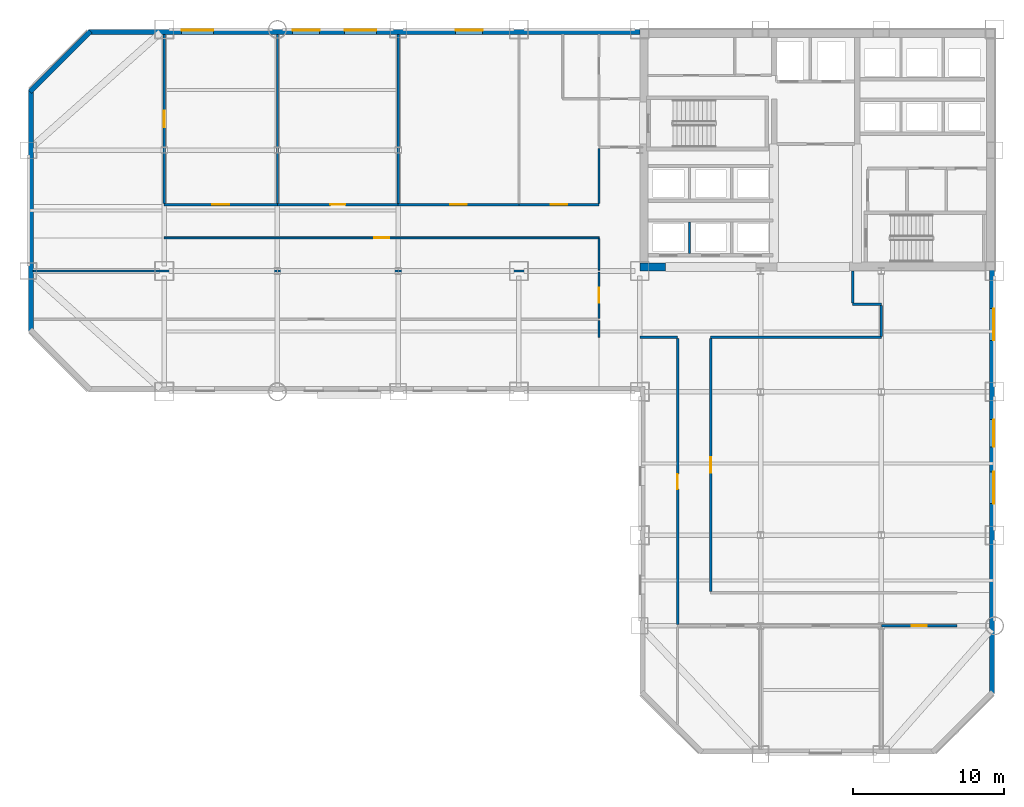
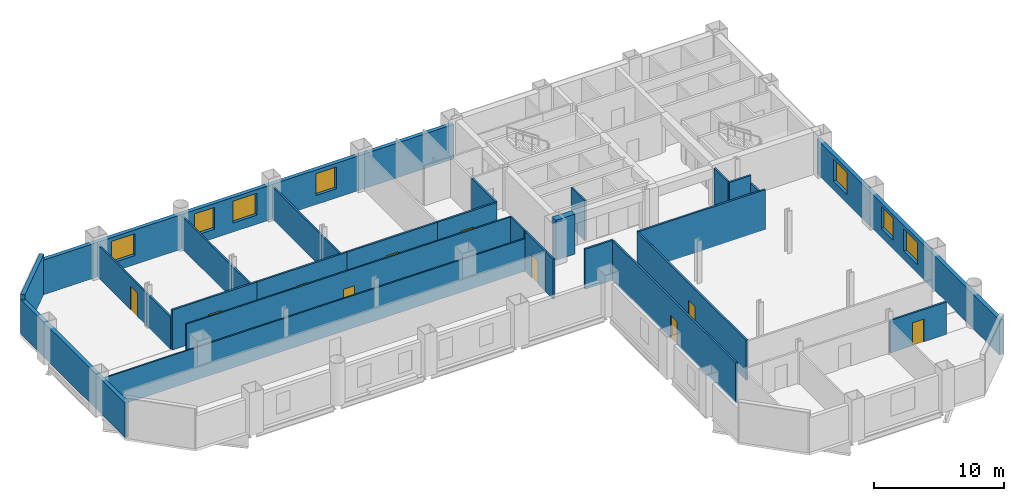
# One storey, part 5 of 9: 27 walls, 10 doors, 7 windows, 17 openings.
"""IFC4 building model written with IfcOpenShell, lengths in metres."""

from ifc_helpers import new_model, si_unit, direction, frame, frame_2d, origin, place, context, subcontext, project, spatial, rectangle, extrude, material, layer, layer_set, type_object, element, fill, save


model = new_model("IFC4")

# Units and contexts
model_context = context("Model", 3, precision=1e-05, world=origin(), true_north=direction((0.0, 1.0)))
body_context = subcontext(model_context, "Body", "Model", "MODEL_VIEW")
ifc_project = project(units=[si_unit("LENGTHUNIT", "METRE"), si_unit("AREAUNIT", "SQUARE_METRE"), si_unit("VOLUMEUNIT", "CUBIC_METRE"), si_unit("PLANEANGLEUNIT", "RADIAN"), si_unit("MASSUNIT", "GRAM", prefix="KILO")], contexts=[model_context])

# Site, building, storey
site_placement = place(None, origin())
site = spatial("IfcSite", under=ifc_project, at=site_placement, CompositionType="ELEMENT")
building_placement = place(site_placement, origin())
building = spatial("IfcBuilding", under=site, at=building_placement, Name="Qianrong Seaharbour Tower", CompositionType="ELEMENT")
storey_placement = place(building_placement, frame((0.0, 0.0, 44.199951171875)))
storey = spatial("IfcBuildingStorey", under=building, at=storey_placement, Name="L10", CompositionType="ELEMENT", Elevation=44.199951171875)

# Wall
ifc_material_1 = material(Name="Concrete C70/85", Category="concrete")
ifc_layer_1 = layer(ifc_material_1, 0.5400390625)
ifc_layer_set_1 = layer_set([ifc_layer_1], Name="Concrete C70/85")
wall_type_1 = type_object("IfcWallType", Name="WALL-CORE-540", PredefinedType="SHEAR", material=ifc_layer_set_1)
wall_1_placement = place(storey_placement, frame((40.5, 36.27001953125, 0.0), z_axis=(0.0, 0.0, 1.0), x_axis=(1.0, 0.0, 0.0)))
element("IfcWall", 1, at=wall_1_placement, inside=storey, type_object=wall_type_1, Name="L10 South Core Shear Wall S1", PredefinedType="SHEAR", context=body_context, shape_type="SweptSolid", body=[
    extrude(rectangle(XDim=1.699951171875, YDim=0.5400390625, at=frame_2d((0.85009765625, 0.0))), origin(), (0.0, 0.0, 1.0), 3.75),
])

# Wall, opening, door
ifc_material_2 = material(Name="Fire-rated acoustic gypsum board partition")
ifc_layer_2 = layer(ifc_material_2, 0.1650390625)
ifc_layer_set_2 = layer_set([ifc_layer_2], Name="Fire-rated acoustic gypsum board partition")
wall_type_2 = type_object("IfcWallType", Name="WALL-CORR-PART-165", PredefinedType="PARTITIONING", material=ifc_layer_set_2)
wall_2_placement = place(storey_placement, frame((9.0, 40.39990234375, 0.0), z_axis=(0.0, 0.0, 1.0), x_axis=(1.0, 0.0, 0.0)))
wall_2 = element("IfcWall", 2, at=wall_2_placement, inside=storey, type_object=wall_type_2, Name="L10 Interior Partition Wall 017", PredefinedType="PARTITIONING", context=body_context, shape_type="SweptSolid", body=[
    extrude(rectangle(XDim=7.5, YDim=0.1650390625, at=frame_2d((3.75, 0.0))), origin(), (0.0, 0.0, 1.0), 3.75),
])
opening_1_placement = place(wall_2_placement, frame((3.199951171875, 0.0, 0.0)))
opening_1 = element("IfcOpeningElement", 3, at=opening_1_placement, cuts=wall_2, Name="Opening DM-01", PredefinedType="OPENING", context=body_context, shape_type="SweptSolid", body=[
    extrude(rectangle(XDim=1.10009765625, YDim=2.199951171875, at=frame_2d((0.550048828125, 1.10009765625))), frame((0.0, 0.092529296875, 0.0), z_axis=(0.0, -1.0, 0.0), x_axis=(1.0, 0.0, 0.0)), (0.0, 0.0, 1.0), 0.18505859375),
])
ifc_material_3 = material(Name="Acoustic timber and galvanized steel fire door assembly", Category="steel")
door_type_1 = type_object("IfcDoorType", Name="DOOR-MEET-1100x2200", OperationType="NOTDEFINED", PredefinedType="DOOR", material=ifc_material_3)
door_1_placement = place(opening_1_placement, origin())
door_1 = element("IfcDoor", 4, at=door_1_placement, inside=storey, type_object=door_type_1, Name="L10 Meeting Room 2 Door", OperationType="SINGLE_SWING_LEFT", OverallHeight=2.199951171875, OverallWidth=1.10009765625, PredefinedType="DOOR", context=body_context, shape_type="SweptSolid", body=[
    extrude(rectangle(XDim=1.10009765625, YDim=2.199951171875, at=frame_2d((0.550048828125, 1.10009765625))), frame((0.0, 0.02490234375, 0.0), z_axis=(0.0, -1.0, 0.0), x_axis=(1.0, 0.0, 0.0)), (0.0, 0.0, 1.0), 0.050048828125),
])
fill(opening_1, door_1)

wall_3_placement = place(storey_placement, frame((16.5, 40.39990234375, 0.0), z_axis=(0.0, 0.0, 1.0), x_axis=(1.0, 0.0, 0.0)))
wall_3 = element("IfcWall", 5, at=wall_3_placement, inside=storey, type_object=wall_type_2, Name="L10 Interior Partition Wall 018", PredefinedType="PARTITIONING", context=body_context, shape_type="SweptSolid", body=[
    extrude(rectangle(XDim=8.0, YDim=0.1650390625, at=frame_2d((4.0, 0.0))), origin(), (0.0, 0.0, 1.0), 3.75),
])
opening_2_placement = place(wall_3_placement, frame((3.5, 0.0, 0.0)))
opening_2 = element("IfcOpeningElement", 6, at=opening_2_placement, cuts=wall_3, Name="Opening DO-01", PredefinedType="OPENING", context=body_context, shape_type="SweptSolid", body=[
    extrude(rectangle(XDim=1.0, YDim=2.14990234375, at=frame_2d((0.5, 1.074951171875))), frame((0.0, 0.092529296875, 0.0), z_axis=(0.0, -1.0, 0.0), x_axis=(1.0, 0.0, 0.0)), (0.0, 0.0, 1.0), 0.18505859375),
])
door_type_2 = type_object("IfcDoorType", Name="DOOR-OFFICE-1000x2150", OperationType="NOTDEFINED", PredefinedType="DOOR", material=ifc_material_3)
door_2_placement = place(opening_2_placement, origin())
door_2 = element("IfcDoor", 7, at=door_2_placement, inside=storey, type_object=door_type_2, Name="L10 Project Library 3 Door", OperationType="SINGLE_SWING_RIGHT", OverallHeight=2.14990234375, OverallWidth=1.0, PredefinedType="DOOR", context=body_context, shape_type="SweptSolid", body=[
    extrude(rectangle(XDim=1.0, YDim=2.14990234375, at=frame_2d((0.5, 1.074951171875))), frame((0.0, 0.02490234375, 0.0), z_axis=(0.0, -1.0, 0.0), x_axis=(1.0, 0.0, 0.0)), (0.0, 0.0, 1.0), 0.050048828125),
])
fill(opening_2, door_2)

wall_4_placement = place(storey_placement, frame((24.5, 40.39990234375, 0.0), z_axis=(0.0, 0.0, 1.0), x_axis=(1.0, 0.0, 0.0)))
wall_4 = element("IfcWall", 8, at=wall_4_placement, inside=storey, type_object=wall_type_2, Name="L10 Interior Partition Wall 019", PredefinedType="PARTITIONING", context=body_context, shape_type="SweptSolid", body=[
    extrude(rectangle(XDim=8.0, YDim=0.1650390625, at=frame_2d((4.0, 0.0))), origin(), (0.0, 0.0, 1.0), 3.75),
])
opening_3_placement = place(wall_4_placement, frame((3.449951171875, 0.0, 0.0)))
opening_3 = element("IfcOpeningElement", 9, at=opening_3_placement, cuts=wall_4, Name="Opening DM-01", PredefinedType="OPENING", context=body_context, shape_type="SweptSolid", body=[
    extrude(rectangle(XDim=1.10009765625, YDim=2.199951171875, at=frame_2d((0.550048828125, 1.10009765625))), frame((0.0, 0.092529296875, 0.0), z_axis=(0.0, -1.0, 0.0), x_axis=(1.0, 0.0, 0.0)), (0.0, 0.0, 1.0), 0.18505859375),
])
door_3_placement = place(opening_3_placement, origin())
door_3 = element("IfcDoor", 10, at=door_3_placement, inside=storey, type_object=door_type_1, Name="L10 Training Seminar Room 4 Door", OperationType="SINGLE_SWING_LEFT", OverallHeight=2.199951171875, OverallWidth=1.10009765625, PredefinedType="DOOR", context=body_context, shape_type="SweptSolid", body=[
    extrude(rectangle(XDim=1.10009765625, YDim=2.199951171875, at=frame_2d((0.550048828125, 1.10009765625))), frame((0.0, 0.02490234375, 0.0), z_axis=(0.0, -1.0, 0.0), x_axis=(1.0, 0.0, 0.0)), (0.0, 0.0, 1.0), 0.050048828125),
])
fill(opening_3, door_3)

wall_5_placement = place(storey_placement, frame((32.5, 40.39990234375, 0.0), z_axis=(0.0, 0.0, 1.0), x_axis=(1.0, 0.0, 0.0)))
wall_5 = element("IfcWall", 11, at=wall_5_placement, inside=storey, type_object=wall_type_2, Name="L10 Interior Partition Wall 020", PredefinedType="PARTITIONING", context=body_context, shape_type="SweptSolid", body=[
    extrude(rectangle(XDim=5.300048828125, YDim=0.1650390625, at=frame_2d((2.64990234375, 0.0))), origin(), (0.0, 0.0, 1.0), 3.75),
])
opening_4_placement = place(wall_5_placement, frame((2.10009765625, 0.0, 0.0)))
opening_4 = element("IfcOpeningElement", 12, at=opening_4_placement, cuts=wall_5, Name="Opening DM-01", PredefinedType="OPENING", context=body_context, shape_type="SweptSolid", body=[
    extrude(rectangle(XDim=1.10009765625, YDim=2.199951171875, at=frame_2d((0.550048828125, 1.10009765625))), frame((0.0, 0.092529296875, 0.0), z_axis=(0.0, -1.0, 0.0), x_axis=(1.0, 0.0, 0.0)), (0.0, 0.0, 1.0), 0.18505859375),
])
door_4_placement = place(opening_4_placement, origin())
door_4 = element("IfcDoor", 13, at=door_4_placement, inside=storey, type_object=door_type_1, Name="L10 Boardroom 5 Door", OperationType="SINGLE_SWING_RIGHT", OverallHeight=2.199951171875, OverallWidth=1.10009765625, PredefinedType="DOOR", context=body_context, shape_type="SweptSolid", body=[
    extrude(rectangle(XDim=1.10009765625, YDim=2.199951171875, at=frame_2d((0.550048828125, 1.10009765625))), frame((0.0, 0.02490234375, 0.0), z_axis=(0.0, -1.0, 0.0), x_axis=(1.0, 0.0, 0.0)), (0.0, 0.0, 1.0), 0.050048828125),
])
fill(opening_4, door_4)

# Walls
wall_6_placement = place(storey_placement, frame((37.800048828125, 40.474609375, 0.0), z_axis=(0.0, 0.0, 1.0), x_axis=(0.0, 1.0, 0.0)))
element("IfcWall", 14, at=wall_6_placement, inside=storey, type_object=wall_type_2, Name="L10 Interior Partition Wall 022", PredefinedType="PARTITIONING", context=body_context, shape_type="SweptSolid", body=[
    extrude(rectangle(XDim=3.65087890625, YDim=0.1650390625, at=frame_2d((1.825439453125, 0.0))), origin(), (0.0, 0.0, 1.0), 3.75),
])
wall_7_placement = place(storey_placement, frame((37.800048828125, 31.60009765625, 0.0), z_axis=(0.0, 0.0, 1.0), x_axis=(0.0, 1.0, 0.0)))
element("IfcWall", 15, at=wall_7_placement, inside=storey, type_object=wall_type_2, Name="L10 Interior Partition Wall 023", PredefinedType="PARTITIONING", context=body_context, shape_type="SweptSolid", body=[
    extrude(rectangle(XDim=1.135498046875, YDim=0.1650390625, at=frame_2d((0.56787109375, 0.0))), origin(), (0.0, 0.0, 1.0), 3.75),
])

# Wall, opening, door
wall_8_placement = place(storey_placement, frame((37.800048828125, 32.864501953125, 0.0), z_axis=(0.0, 0.0, 1.0), x_axis=(0.0, 1.0, 0.0)))
wall_8 = element("IfcWall", 16, at=wall_8_placement, inside=storey, type_object=wall_type_2, Name="L10 Interior Partition Wall 024", PredefinedType="PARTITIONING", context=body_context, shape_type="SweptSolid", body=[
    extrude(rectangle(XDim=3.07861328125, YDim=0.1650390625, at=frame_2d((1.539306640625, 0.0))), origin(), (0.0, 0.0, 1.0), 3.75),
])
opening_5_placement = place(wall_8_placement, frame((1.039306640625, 0.0, 0.0)))
opening_5 = element("IfcOpeningElement", 17, at=opening_5_placement, cuts=wall_8, Name="Opening DO-01", PredefinedType="OPENING", context=body_context, shape_type="SweptSolid", body=[
    extrude(rectangle(XDim=1.0, YDim=2.14990234375, at=frame_2d((0.5, 1.074951171875))), frame((0.0, 0.092529296875, 0.0), z_axis=(0.0, -1.0, 0.0), x_axis=(1.0, 0.0, 0.0)), (0.0, 0.0, 1.0), 0.18505859375),
])
door_5_placement = place(opening_5_placement, origin())
door_5 = element("IfcDoor", 18, at=door_5_placement, inside=storey, type_object=door_type_2, Name="L10 Division Conference Gallery 2 Door", OperationType="SINGLE_SWING_RIGHT", OverallHeight=2.14990234375, OverallWidth=1.0, PredefinedType="DOOR", context=body_context, shape_type="SweptSolid", body=[
    extrude(rectangle(XDim=1.0, YDim=2.14990234375, at=frame_2d((0.5, 1.074951171875))), frame((0.0, 0.02490234375, 0.0), z_axis=(0.0, -1.0, 0.0), x_axis=(1.0, 0.0, 0.0)), (0.0, 0.0, 1.0), 0.050048828125),
])
fill(opening_5, door_5)

# Walls
wall_9_placement = place(storey_placement, frame((54.60009765625, 36.0, 0.0), z_axis=(0.0, 0.0, 1.0), x_axis=(0.0, -1.0, 0.0)))
element("IfcWall", 19, at=wall_9_placement, inside=storey, type_object=wall_type_2, Name="L10 Interior Partition Wall 026", PredefinedType="PARTITIONING", context=body_context, shape_type="SweptSolid", body=[
    extrude(rectangle(XDim=2.12548828125, YDim=0.1650390625, at=frame_2d((1.062744140625, 0.0))), origin(), (0.0, 0.0, 1.0), 3.75),
])
wall_10_placement = place(storey_placement, frame((54.60009765625, 33.800048828125, 0.0), z_axis=(0.0, 0.0, 1.0), x_axis=(1.0, 0.0, 0.0)))
element("IfcWall", 20, at=wall_10_placement, inside=storey, type_object=wall_type_2, Name="L10 Interior Partition Wall 027", PredefinedType="PARTITIONING", context=body_context, shape_type="SweptSolid", body=[
    extrude(rectangle(XDim=1.89990234375, YDim=0.1650390625, at=frame_2d((0.949951171875, 0.0))), origin(), (0.0, 0.0, 1.0), 3.75),
])
wall_11_placement = place(storey_placement, frame((56.5, 33.7255859375, 0.0), z_axis=(0.0, 0.0, 1.0), x_axis=(0.0, -1.0, 0.0)))
element("IfcWall", 21, at=wall_11_placement, inside=storey, type_object=wall_type_2, Name="L10 Interior Partition Wall 028", PredefinedType="PARTITIONING", context=body_context, shape_type="SweptSolid", body=[
    extrude(rectangle(XDim=2.051025390625, YDim=0.1650390625, at=frame_2d((1.025390625, 0.0))), origin(), (0.0, 0.0, 1.0), 3.0419921875),
])
wall_12_placement = place(storey_placement, frame((56.5, 31.60009765625, 0.0), z_axis=(0.0, 0.0, 1.0), x_axis=(-1.0, 0.0, 0.0)))
element("IfcWall", 22, at=wall_12_placement, inside=storey, type_object=wall_type_2, Name="L10 Interior Partition Wall 029", PredefinedType="PARTITIONING", context=body_context, shape_type="SweptSolid", body=[
    extrude(rectangle(XDim=11.300048828125, YDim=0.1650390625, at=frame_2d((5.64990234375, 0.0))), origin(), (0.0, 0.0, 1.0), 3.75),
])
wall_13_placement = place(storey_placement, frame((43.0, 31.60009765625, 0.0), z_axis=(0.0, 0.0, 1.0), x_axis=(-1.0, 0.0, 0.0)))
element("IfcWall", 23, at=wall_13_placement, inside=storey, type_object=wall_type_2, Name="L10 Interior Partition Wall 030", PredefinedType="PARTITIONING", context=body_context, shape_type="SweptSolid", body=[
    extrude(rectangle(XDim=2.5, YDim=0.1650390625, at=frame_2d((1.25, 0.0))), origin(), (0.0, 0.0, 1.0), 3.75),
])

# Wall, opening, door
wall_14_placement = place(storey_placement, frame((45.199951171875, 31.525390625, 0.0), z_axis=(0.0, 0.0, 1.0), x_axis=(0.0, -1.0, 0.0)))
wall_14 = element("IfcWall", 24, at=wall_14_placement, inside=storey, type_object=wall_type_2, Name="L10 Interior Partition Wall 031", PredefinedType="PARTITIONING", context=body_context, shape_type="SweptSolid", body=[
    extrude(rectangle(XDim=16.7509765625, YDim=0.1650390625, at=frame_2d((8.37548828125, 0.0))), origin(), (0.0, 0.0, 1.0), 3.75),
])
opening_6_placement = place(wall_14_placement, frame((7.87548828125, 0.0, 0.0)))
opening_6 = element("IfcOpeningElement", 25, at=opening_6_placement, cuts=wall_14, Name="Opening DO-01", PredefinedType="OPENING", context=body_context, shape_type="SweptSolid", body=[
    extrude(rectangle(XDim=1.0, YDim=2.14990234375, at=frame_2d((0.5, 1.074951171875))), frame((0.0, 0.092529296875, 0.0), z_axis=(0.0, -1.0, 0.0), x_axis=(1.0, 0.0, 0.0)), (0.0, 0.0, 1.0), 0.18505859375),
])
door_6_placement = place(opening_6_placement, origin())
door_6 = element("IfcDoor", 26, at=door_6_placement, inside=storey, type_object=door_type_2, Name="L10 South Wing Open-Plan Office Door", OperationType="SINGLE_SWING_RIGHT", OverallHeight=2.14990234375, OverallWidth=1.0, PredefinedType="DOOR", context=body_context, shape_type="SweptSolid", body=[
    extrude(rectangle(XDim=1.0, YDim=2.14990234375, at=frame_2d((0.5, 1.074951171875))), frame((0.0, 0.02490234375, 0.0), z_axis=(0.0, -1.0, 0.0), x_axis=(1.0, 0.0, 0.0)), (0.0, 0.0, 1.0), 0.050048828125),
])
fill(opening_6, door_6)

wall_15_placement = place(storey_placement, frame((43.0, 12.574462890625, 0.0), z_axis=(0.0, 0.0, 1.0), x_axis=(0.0, 1.0, 0.0)))
wall_15 = element("IfcWall", 27, at=wall_15_placement, inside=storey, type_object=wall_type_2, Name="L10 Interior Partition Wall 032", PredefinedType="PARTITIONING", context=body_context, shape_type="SweptSolid", body=[
    extrude(rectangle(XDim=18.950927734375, YDim=0.1650390625, at=frame_2d((9.4755859375, 0.0))), origin(), (0.0, 0.0, 1.0), 3.75),
])
opening_7_placement = place(wall_15_placement, frame((8.9755859375, 0.0, 0.0)))
opening_7 = element("IfcOpeningElement", 28, at=opening_7_placement, cuts=wall_15, Name="Opening DO-01", PredefinedType="OPENING", context=body_context, shape_type="SweptSolid", body=[
    extrude(rectangle(XDim=1.0, YDim=2.14990234375, at=frame_2d((0.5, 1.074951171875))), frame((0.0, 0.092529296875, 0.0), z_axis=(0.0, -1.0, 0.0), x_axis=(1.0, 0.0, 0.0)), (0.0, 0.0, 1.0), 0.18505859375),
])
door_7_placement = place(opening_7_placement, origin())
door_7 = element("IfcDoor", 29, at=door_7_placement, inside=storey, type_object=door_type_2, Name="L10 West Spine Open-Plan Office Door", OperationType="SINGLE_SWING_LEFT", OverallHeight=2.14990234375, OverallWidth=1.0, PredefinedType="DOOR", context=body_context, shape_type="SweptSolid", body=[
    extrude(rectangle(XDim=1.0, YDim=2.14990234375, at=frame_2d((0.5, 1.074951171875))), frame((0.0, 0.02490234375, 0.0), z_axis=(0.0, -1.0, 0.0), x_axis=(1.0, 0.0, 0.0)), (0.0, 0.0, 1.0), 0.050048828125),
])
fill(opening_7, door_7)

wall_16_placement = place(storey_placement, frame((61.5, 12.5, 0.0), z_axis=(0.0, 0.0, 1.0), x_axis=(-1.0, 0.0, 0.0)))
wall_16 = element("IfcWall", 30, at=wall_16_placement, inside=storey, type_object=wall_type_2, Name="L10 Interior Partition Wall 037", PredefinedType="PARTITIONING", context=body_context, shape_type="SweptSolid", body=[
    extrude(rectangle(XDim=5.0, YDim=0.1650390625, at=frame_2d((2.5, 0.0))), origin(), (0.0, 0.0, 1.0), 3.0419921875),
])
opening_8_placement = place(wall_16_placement, frame((2.0, 0.0, 0.0)))
opening_8 = element("IfcOpeningElement", 31, at=opening_8_placement, cuts=wall_16, Name="Opening DO-01", PredefinedType="OPENING", context=body_context, shape_type="SweptSolid", body=[
    extrude(rectangle(XDim=1.0, YDim=2.14990234375, at=frame_2d((0.5, 1.074951171875))), frame((0.0, 0.092529296875, 0.0), z_axis=(0.0, -1.0, 0.0), x_axis=(1.0, 0.0, 0.0)), (0.0, 0.0, 1.0), 0.18505859375),
])
door_8_placement = place(opening_8_placement, origin())
door_8 = element("IfcDoor", 32, at=door_8_placement, inside=storey, type_object=door_type_2, Name="L10 Standards Library 3 Door", OperationType="SINGLE_SWING_RIGHT", OverallHeight=2.14990234375, OverallWidth=1.0, PredefinedType="DOOR", context=body_context, shape_type="SweptSolid", body=[
    extrude(rectangle(XDim=1.0, YDim=2.14990234375, at=frame_2d((0.5, 1.074951171875))), frame((0.0, 0.02490234375, 0.0), z_axis=(0.0, -1.0, 0.0), x_axis=(1.0, 0.0, 0.0)), (0.0, 0.0, 1.0), 0.050048828125),
])
fill(opening_8, door_8)

# Walls
ifc_material_4 = material(Name="Unitised buff brick on Precast concrete C45/55", Category="masonry")
ifc_layer_3 = layer(ifc_material_4, 0.340087890625)
ifc_layer_set_3 = layer_set([ifc_layer_3], Name="Unitised buff brick on Precast concrete C45/55")
wall_type_3 = type_object("IfcWallType", Name="WALL-EXT-BRICK-BUFF-340", PredefinedType="SOLIDWALL", material=ifc_layer_set_3)
wall_17_placement = place(storey_placement, frame((0.169921875, 32.0, 0.0), z_axis=(0.0, 0.0, 1.0), x_axis=(0.0, 1.0, 0.0)))
element("IfcWall", 33, at=wall_17_placement, inside=storey, type_object=wall_type_3, Name="L10 Exterior Masonry Facade Wall WEST_TIP", PredefinedType="SOLIDWALL", context=body_context, shape_type="SweptSolid", body=[
    extrude(rectangle(XDim=16.0, YDim=0.340087890625, at=frame_2d((8.0, 0.0))), origin(), (0.0, 0.0, 1.0), 3.25),
])
wall_18_placement = place(storey_placement, frame((0.1201171875, 47.8798828125, 0.0), z_axis=(0.0, 0.0, 1.0), x_axis=(0.707106781187, 0.707106781187, 0.0)))
element("IfcWall", 34, at=wall_18_placement, inside=storey, type_object=wall_type_3, Name="L10 Exterior Masonry Facade Wall E04", PredefinedType="SOLIDWALL", context=body_context, shape_type="SweptSolid", body=[
    extrude(rectangle(XDim=5.65673828125, YDim=0.340087890625, at=frame_2d((2.828369140625, 0.0))), origin(), (0.0, 0.0, 1.0), 3.75),
])

# Wall, openings, windows
wall_19_placement = place(storey_placement, frame((4.0, 51.830078125, 0.0), z_axis=(0.0, 0.0, 1.0), x_axis=(1.0, 0.0, 0.0)))
wall_19 = element("IfcWall", 35, at=wall_19_placement, inside=storey, type_object=wall_type_3, Name="L10 Exterior Masonry Facade Wall NORTH_WING", PredefinedType="SOLIDWALL", context=body_context, shape_type="SweptSolid", body=[
    extrude(rectangle(XDim=36.52001953125, YDim=0.340087890625, at=frame_2d((18.260009765625, 0.0))), origin(), (0.0, 0.0, 1.0), 3.25),
])
opening_9_placement = place(wall_19_placement, frame((6.14990234375, 0.0, 0.85009765625)))
opening_9 = element("IfcOpeningElement", 36, at=opening_9_placement, cuts=wall_19, Name="Opening WN-06", PredefinedType="OPENING", context=body_context, shape_type="SweptSolid", body=[
    extrude(rectangle(XDim=2.10009765625, YDim=2.050048828125, at=frame_2d((1.050048828125, 1.02490234375))), frame((0.0, 0.18017578125, 0.0), z_axis=(0.0, -1.0, 0.0), x_axis=(1.0, 0.0, 0.0)), (0.0, 0.0, 1.0), 0.360107421875),
])
opening_10_placement = place(wall_19_placement, frame((13.5, 0.0, 0.85009765625)))
opening_10 = element("IfcOpeningElement", 37, at=opening_10_placement, cuts=wall_19, Name="Opening WN-05", PredefinedType="OPENING", context=body_context, shape_type="SweptSolid", body=[
    extrude(rectangle(XDim=1.800048828125, YDim=2.050048828125, at=frame_2d((0.89990234375, 1.02490234375))), frame((0.0, 0.18017578125, 0.0), z_axis=(0.0, -1.0, 0.0), x_axis=(1.0, 0.0, 0.0)), (0.0, 0.0, 1.0), 0.360107421875),
])
opening_11_placement = place(wall_19_placement, frame((16.949951171875, 0.0, 0.85009765625)))
opening_11 = element("IfcOpeningElement", 38, at=opening_11_placement, cuts=wall_19, Name="Opening WN-06", PredefinedType="OPENING", context=body_context, shape_type="SweptSolid", body=[
    extrude(rectangle(XDim=2.10009765625, YDim=2.050048828125, at=frame_2d((1.050048828125, 1.02490234375))), frame((0.0, 0.18017578125, 0.0), z_axis=(0.0, -1.0, 0.0), x_axis=(1.0, 0.0, 0.0)), (0.0, 0.0, 1.0), 0.360107421875),
])
opening_12_placement = place(wall_19_placement, frame((24.300048828125, 0.0, 0.85009765625)))
opening_12 = element("IfcOpeningElement", 39, at=opening_12_placement, cuts=wall_19, Name="Opening WN-05", PredefinedType="OPENING", context=body_context, shape_type="SweptSolid", body=[
    extrude(rectangle(XDim=1.800048828125, YDim=2.050048828125, at=frame_2d((0.89990234375, 1.02490234375))), frame((0.0, 0.18017578125, 0.0), z_axis=(0.0, -1.0, 0.0), x_axis=(1.0, 0.0, 0.0)), (0.0, 0.0, 1.0), 0.360107421875),
])
ifc_material_5 = material(Name="Insulated low-e double glazing in thermally broken aluminium 6063-T6 frame", Category="aluminium")
window_type_1 = type_object("IfcWindowType", Name="WIN-PUNCH-1800x2050", PartitioningType="TRIPLE_PANEL_VERTICAL", PredefinedType="WINDOW", material=ifc_material_5)
window_1_placement = place(opening_10_placement, origin())
window_1 = element("IfcWindow", 40, at=window_1_placement, inside=storey, type_object=window_type_1, Name="L10 Deep-Set Punched Window 05.04", OverallHeight=2.050048828125, OverallWidth=1.800048828125, PartitioningType="TRIPLE_PANEL_VERTICAL", PredefinedType="WINDOW", context=body_context, shape_type="SweptSolid", body=[
    extrude(rectangle(XDim=1.800048828125, YDim=2.050048828125, at=frame_2d((0.89990234375, 1.02490234375))), frame((0.0, 0.150146484375, 0.0), z_axis=(0.0, -1.0, 0.0), x_axis=(1.0, 0.0, 0.0)), (0.0, 0.0, 1.0), 0.06005859375),
])
fill(opening_10, window_1)
window_2_placement = place(opening_12_placement, origin())
window_2 = element("IfcWindow", 41, at=window_2_placement, inside=storey, type_object=window_type_1, Name="L10 Deep-Set Punched Window 05.07", OverallHeight=2.050048828125, OverallWidth=1.800048828125, PartitioningType="TRIPLE_PANEL_VERTICAL", PredefinedType="WINDOW", context=body_context, shape_type="SweptSolid", body=[
    extrude(rectangle(XDim=1.800048828125, YDim=2.050048828125, at=frame_2d((0.89990234375, 1.02490234375))), frame((0.0, 0.150146484375, 0.0), z_axis=(0.0, -1.0, 0.0), x_axis=(1.0, 0.0, 0.0)), (0.0, 0.0, 1.0), 0.06005859375),
])
fill(opening_12, window_2)
window_type_2 = type_object("IfcWindowType", Name="WIN-PUNCH-2100x2050", PartitioningType="TRIPLE_PANEL_VERTICAL", PredefinedType="WINDOW", material=ifc_material_5)
window_3_placement = place(opening_9_placement, origin())
window_3 = element("IfcWindow", 42, at=window_3_placement, inside=storey, type_object=window_type_2, Name="L10 Deep-Set Punched Window 05.02", OverallHeight=2.050048828125, OverallWidth=2.10009765625, PartitioningType="TRIPLE_PANEL_VERTICAL", PredefinedType="WINDOW", context=body_context, shape_type="SweptSolid", body=[
    extrude(rectangle(XDim=2.10009765625, YDim=2.050048828125, at=frame_2d((1.050048828125, 1.02490234375))), frame((0.0, 0.150146484375, 0.0), z_axis=(0.0, -1.0, 0.0), x_axis=(1.0, 0.0, 0.0)), (0.0, 0.0, 1.0), 0.06005859375),
])
fill(opening_9, window_3)
window_4_placement = place(opening_11_placement, origin())
window_4 = element("IfcWindow", 43, at=window_4_placement, inside=storey, type_object=window_type_2, Name="L10 Deep-Set Punched Window 05.05", OverallHeight=2.050048828125, OverallWidth=2.10009765625, PartitioningType="TRIPLE_PANEL_VERTICAL", PredefinedType="WINDOW", context=body_context, shape_type="SweptSolid", body=[
    extrude(rectangle(XDim=2.10009765625, YDim=2.050048828125, at=frame_2d((1.050048828125, 1.02490234375))), frame((0.0, 0.150146484375, 0.0), z_axis=(0.0, -1.0, 0.0), x_axis=(1.0, 0.0, 0.0)), (0.0, 0.0, 1.0), 0.06005859375),
])
fill(opening_11, window_4)

wall_20_placement = place(storey_placement, frame((63.830078125, 36.050048828125, 0.0), z_axis=(0.0, 0.0, 1.0), x_axis=(0.0, -1.0, 0.0)))
wall_20 = element("IfcWall", 44, at=wall_20_placement, inside=storey, type_object=wall_type_3, Name="L10 Exterior Masonry Facade Wall EAST_WING", PredefinedType="SOLIDWALL", context=body_context, shape_type="SweptSolid", body=[
    extrude(rectangle(XDim=28.050048828125, YDim=0.340087890625, at=frame_2d((14.02490234375, 0.0))), origin(), (0.0, 0.0, 1.0), 3.25),
])
opening_13_placement = place(wall_20_placement, frame((2.550048828125, 0.0, 0.85009765625)))
opening_13 = element("IfcOpeningElement", 45, at=opening_13_placement, cuts=wall_20, Name="Opening WN-06", PredefinedType="OPENING", context=body_context, shape_type="SweptSolid", body=[
    extrude(rectangle(XDim=2.10009765625, YDim=2.050048828125, at=frame_2d((1.050048828125, 1.02490234375))), frame((0.0, 0.18017578125, 0.0), z_axis=(0.0, -1.0, 0.0), x_axis=(1.0, 0.0, 0.0)), (0.0, 0.0, 1.0), 0.360107421875),
])
opening_14_placement = place(wall_20_placement, frame((9.89990234375, 0.0, 0.85009765625)))
opening_14 = element("IfcOpeningElement", 46, at=opening_14_placement, cuts=wall_20, Name="Opening WN-05", PredefinedType="OPENING", context=body_context, shape_type="SweptSolid", body=[
    extrude(rectangle(XDim=1.800048828125, YDim=2.050048828125, at=frame_2d((0.89990234375, 1.02490234375))), frame((0.0, 0.18017578125, 0.0), z_axis=(0.0, -1.0, 0.0), x_axis=(1.0, 0.0, 0.0)), (0.0, 0.0, 1.0), 0.360107421875),
])
opening_15_placement = place(wall_20_placement, frame((13.35009765625, 0.0, 0.85009765625)))
opening_15 = element("IfcOpeningElement", 47, at=opening_15_placement, cuts=wall_20, Name="Opening WN-06", PredefinedType="OPENING", context=body_context, shape_type="SweptSolid", body=[
    extrude(rectangle(XDim=2.10009765625, YDim=2.050048828125, at=frame_2d((1.050048828125, 1.02490234375))), frame((0.0, 0.18017578125, 0.0), z_axis=(0.0, -1.0, 0.0), x_axis=(1.0, 0.0, 0.0)), (0.0, 0.0, 1.0), 0.360107421875),
])
window_5_placement = place(opening_14_placement, origin())
window_5 = element("IfcWindow", 48, at=window_5_placement, inside=storey, type_object=window_type_1, Name="L10 Deep-Set Punched Window 06.03", OverallHeight=2.050048828125, OverallWidth=1.800048828125, PartitioningType="TRIPLE_PANEL_VERTICAL", PredefinedType="WINDOW", context=body_context, shape_type="SweptSolid", body=[
    extrude(rectangle(XDim=1.800048828125, YDim=2.050048828125, at=frame_2d((0.89990234375, 1.02490234375))), frame((0.0, 0.150146484375, 0.0), z_axis=(0.0, -1.0, 0.0), x_axis=(1.0, 0.0, 0.0)), (0.0, 0.0, 1.0), 0.06005859375),
])
fill(opening_14, window_5)
window_6_placement = place(opening_13_placement, origin())
window_6 = element("IfcWindow", 49, at=window_6_placement, inside=storey, type_object=window_type_2, Name="L10 Deep-Set Punched Window 06.01", OverallHeight=2.050048828125, OverallWidth=2.10009765625, PartitioningType="TRIPLE_PANEL_VERTICAL", PredefinedType="WINDOW", context=body_context, shape_type="SweptSolid", body=[
    extrude(rectangle(XDim=2.10009765625, YDim=2.050048828125, at=frame_2d((1.050048828125, 1.02490234375))), frame((0.0, 0.150146484375, 0.0), z_axis=(0.0, -1.0, 0.0), x_axis=(1.0, 0.0, 0.0)), (0.0, 0.0, 1.0), 0.06005859375),
])
fill(opening_13, window_6)
window_7_placement = place(opening_15_placement, origin())
window_7 = element("IfcWindow", 50, at=window_7_placement, inside=storey, type_object=window_type_2, Name="L10 Deep-Set Punched Window 06.04", OverallHeight=2.050048828125, OverallWidth=2.10009765625, PartitioningType="TRIPLE_PANEL_VERTICAL", PredefinedType="WINDOW", context=body_context, shape_type="SweptSolid", body=[
    extrude(rectangle(XDim=2.10009765625, YDim=2.050048828125, at=frame_2d((1.050048828125, 1.02490234375))), frame((0.0, 0.150146484375, 0.0), z_axis=(0.0, -1.0, 0.0), x_axis=(1.0, 0.0, 0.0)), (0.0, 0.0, 1.0), 0.06005859375),
])
fill(opening_15, window_7)

# Wall, opening, door
ifc_material_6 = material(Name="Acoustic gypsum board stud partition")
ifc_layer_4 = layer(ifc_material_6, 0.14501953125)
ifc_layer_set_4 = layer_set([ifc_layer_4], Name="Acoustic gypsum board stud partition")
wall_type_4 = type_object("IfcWallType", Name="WALL-OFFICE-PART-145", PredefinedType="PARTITIONING", material=ifc_layer_set_4)
wall_21_placement = place(storey_placement, frame((9.0, 51.66796875, 0.0), z_axis=(0.0, 0.0, 1.0), x_axis=(0.0, -1.0, 0.0)))
wall_21 = element("IfcWall", 51, at=wall_21_placement, inside=storey, type_object=wall_type_4, Name="L10 Interior Partition Wall 039", PredefinedType="PARTITIONING", context=body_context, shape_type="SweptSolid", body=[
    extrude(rectangle(XDim=11.193359375, YDim=0.14501953125, at=frame_2d((5.5966796875, 0.0))), origin(), (0.0, 0.0, 1.0), 3.0419921875),
])
opening_16_placement = place(wall_21_placement, frame((5.046875, 0.0, 0.0)))
opening_16 = element("IfcOpeningElement", 52, at=opening_16_placement, cuts=wall_21, Name="Opening DM-01", PredefinedType="OPENING", context=body_context, shape_type="SweptSolid", body=[
    extrude(rectangle(XDim=1.10009765625, YDim=2.199951171875, at=frame_2d((0.550048828125, 1.10009765625))), frame((0.0, 0.08251953125, 0.0), z_axis=(0.0, -1.0, 0.0), x_axis=(1.0, 0.0, 0.0)), (0.0, 0.0, 1.0), 0.1650390625),
])
door_9_placement = place(opening_16_placement, origin())
door_9 = element("IfcDoor", 53, at=door_9_placement, inside=storey, type_object=door_type_1, Name="L10 Boardroom 1 Door", OperationType="SINGLE_SWING_RIGHT", OverallHeight=2.199951171875, OverallWidth=1.10009765625, PredefinedType="DOOR", context=body_context, shape_type="SweptSolid", body=[
    extrude(rectangle(XDim=1.10009765625, YDim=2.199951171875, at=frame_2d((0.550048828125, 1.10009765625))), frame((0.0, 0.02490234375, 0.0), z_axis=(0.0, -1.0, 0.0), x_axis=(1.0, 0.0, 0.0)), (0.0, 0.0, 1.0), 0.050048828125),
])
fill(opening_16, door_9)

# Walls
for number, where, z_axis, x_axis, name in (
    (54, (16.5, 51.66796875, 0.0), (0.0, 0.0, 1.0), (0.0, -1.0, 0.0), "L10 Interior Partition Wall 040"),
    (55, (24.5, 51.66796875, 0.0), (0.0, 0.0, 1.0), (0.0, -1.0, 0.0), "L10 Interior Partition Wall 041"),
):
    element("IfcWall", number, at=place(storey_placement, frame(where, z_axis=z_axis, x_axis=x_axis)), inside=storey, type_object=wall_type_4, Name=name, PredefinedType="PARTITIONING", context=body_context, shape_type="SweptSolid", body=[
        extrude(rectangle(XDim=11.193359375, YDim=0.14501953125, at=frame_2d((5.5966796875, 0.0))), origin(), (0.0, 0.0, 1.0), 3.0419921875),
    ])
ifc_material_7 = material(Name="Fire-rated gypsum board on steel studs", Category="steel")
ifc_layer_5 = layer(ifc_material_7, 0.14990234375)
ifc_layer_set_5 = layer_set([ifc_layer_5], Name="Fire-rated gypsum board on steel studs")
wall_type_5 = type_object("IfcWallType", Name="WALL-SHAFT-DIV-150", PredefinedType="PARTITIONING", material=ifc_layer_set_5)
wall_22_placement = place(storey_placement, frame((43.800048828125, 37.159912109375, 0.0), z_axis=(0.0, 0.0, 1.0), x_axis=(0.0, 1.0, 0.0)))
element("IfcWall", 56, at=wall_22_placement, inside=storey, type_object=wall_type_5, Name="L10 P1 Lift Hoistway Divider 2", PredefinedType="PARTITIONING", context=body_context, shape_type="SweptSolid", body=[
    extrude(rectangle(XDim=2.080078125, YDim=0.14990234375, at=frame_2d((1.0400390625, 0.0))), origin(), (0.0, 0.0, 1.0), 3.75),
])

# Wall, opening, door
ifc_material_8 = material(Name="Water-resistant cement board sanitary partition")
ifc_layer_6 = layer(ifc_material_8, 0.1298828125)
ifc_layer_set_6 = layer_set([ifc_layer_6], Name="Water-resistant cement board sanitary partition")
wall_type_6 = type_object("IfcWallType", Name="WALL-WET-PART-130", PredefinedType="PARTITIONING", material=ifc_layer_set_6)
wall_23_placement = place(storey_placement, frame((37.800048828125, 38.199951171875, 0.0), z_axis=(0.0, 0.0, 1.0), x_axis=(-1.0, 0.0, 0.0)))
wall_23 = element("IfcWall", 57, at=wall_23_placement, inside=storey, type_object=wall_type_6, Name="L10 Interior Partition Wall 021", PredefinedType="PARTITIONING", context=body_context, shape_type="SweptSolid", body=[
    extrude(rectangle(XDim=28.800048828125, YDim=0.1298828125, at=frame_2d((14.39990234375, 0.0))), origin(), (0.0, 0.0, 1.0), 3.75),
])
opening_17_placement = place(wall_23_placement, frame((13.89990234375, 0.0, 0.0)))
opening_17 = element("IfcOpeningElement", 58, at=opening_17_placement, cuts=wall_23, Name="Opening DO-01", PredefinedType="OPENING", context=body_context, shape_type="SweptSolid", body=[
    extrude(rectangle(XDim=1.0, YDim=2.14990234375, at=frame_2d((0.5, 1.074951171875))), frame((0.0, 0.074951171875, 0.0), z_axis=(0.0, -1.0, 0.0), x_axis=(1.0, 0.0, 0.0)), (0.0, 0.0, 1.0), 0.14990234375),
])
door_10_placement = place(opening_17_placement, origin())
door_10 = element("IfcDoor", 59, at=door_10_placement, inside=storey, type_object=door_type_2, Name="L10 Wet Pantry 3 Door", OperationType="SINGLE_SWING_LEFT", OverallHeight=2.14990234375, OverallWidth=1.0, PredefinedType="DOOR", context=body_context, shape_type="SweptSolid", body=[
    extrude(rectangle(XDim=1.0, YDim=2.14990234375, at=frame_2d((0.5, 1.074951171875))), frame((0.0, 0.02490234375, 0.0), z_axis=(0.0, -1.0, 0.0), x_axis=(1.0, 0.0, 0.0)), (0.0, 0.0, 1.0), 0.050048828125),
])
fill(opening_17, door_10)

# Walls
wall_24_placement = place(storey_placement, frame((37.800048828125, 36.056884765625, 0.0), z_axis=(0.0, 0.0, 1.0), x_axis=(0.0, 1.0, 0.0)))
element("IfcWall", 60, at=wall_24_placement, inside=storey, type_object=wall_type_6, Name="L10 Interior Partition Wall 025", PredefinedType="PARTITIONING", context=body_context, shape_type="SweptSolid", body=[
    extrude(rectangle(XDim=2.086181640625, YDim=0.1298828125, at=frame_2d((1.04296875, 0.0))), origin(), (0.0, 0.0, 1.0), 3.75),
])
wall_25_placement = place(storey_placement, frame((0.33203125, 36.0, 0.0), z_axis=(0.0, 0.0, 1.0), x_axis=(1.0, 0.0, 0.0)))
element("IfcWall", 61, at=wall_25_placement, inside=storey, type_object=wall_type_6, Name="L10 Interior Partition Wall 044", PredefinedType="PARTITIONING", context=body_context, shape_type="SweptSolid", body=[
    extrude(rectangle(XDim=37.468017578125, YDim=0.1298828125, at=frame_2d((18.73388671875, 0.0))), origin(), (0.0, 0.0, 1.0), 3.0419921875),
])

save(model, "model.ifc")
